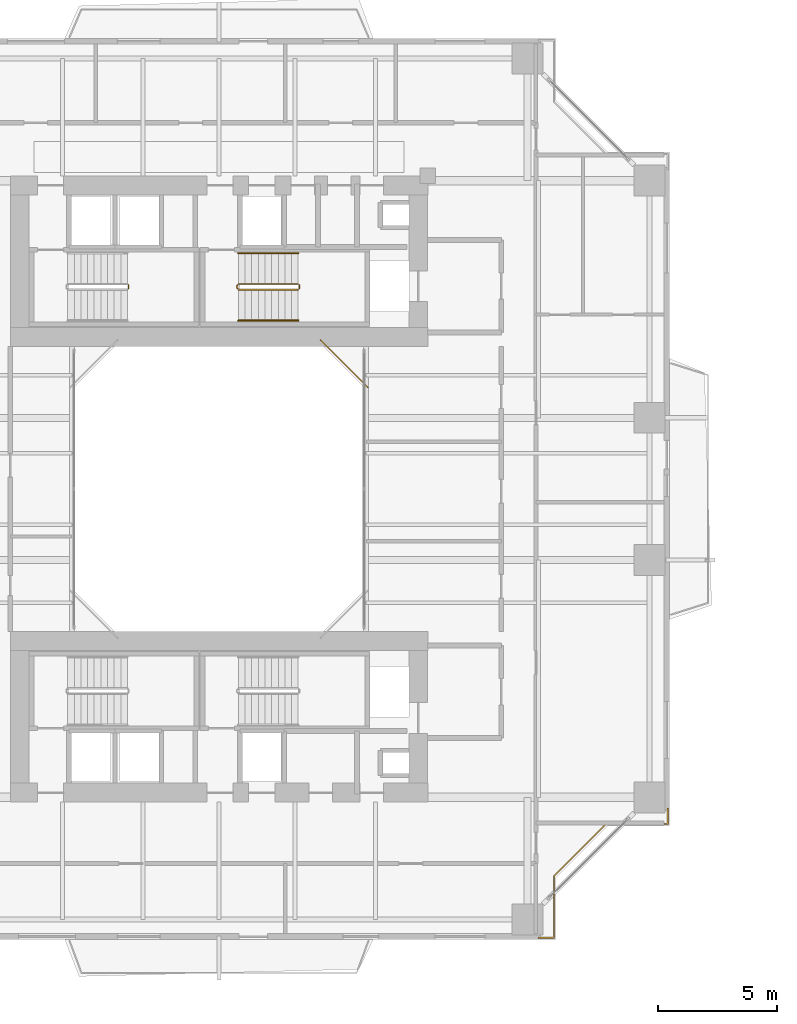
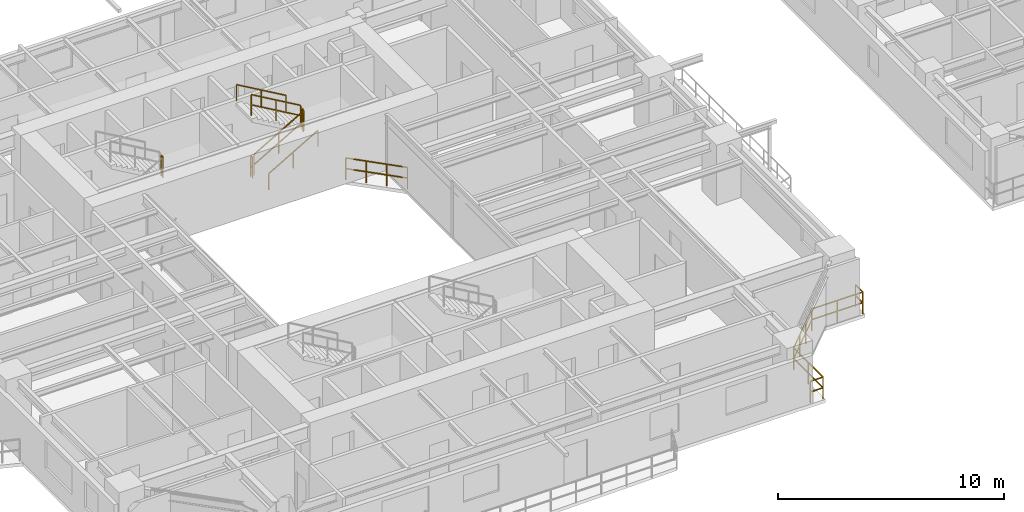
# One storey, part 21 of 23: 9 railings.
"""IFC4 building model written with IfcOpenShell, lengths in metres."""

from ifc_helpers import new_model, si_unit, direction, frame, origin, origin_2d, place, context, subcontext, project, spatial, rectangle, extrude, material, type_object, element, save


model = new_model("IFC4")

# Units and contexts
model_context = context("Model", 3, precision=1e-05, world=origin(), true_north=direction((0.0, 1.0)))
body_context = subcontext(model_context, "Body", "Model", "MODEL_VIEW")
ifc_project = project(units=[si_unit("LENGTHUNIT", "METRE"), si_unit("AREAUNIT", "SQUARE_METRE"), si_unit("VOLUMEUNIT", "CUBIC_METRE"), si_unit("PLANEANGLEUNIT", "RADIAN"), si_unit("MASSUNIT", "GRAM", prefix="KILO"), si_unit("THERMODYNAMICTEMPERATUREUNIT", "KELVIN"), si_unit("POWERUNIT", "WATT")], contexts=[model_context])

# Site, building, storey
site_placement = place(None, origin())
site = spatial("IfcSite", under=ifc_project, at=site_placement, CompositionType="ELEMENT")
building_placement = place(site_placement, origin())
building = spatial("IfcBuilding", under=site, at=building_placement, Name="Qiaomeng Ring Towers", CompositionType="ELEMENT")
storey_placement = place(building_placement, frame((0.0, 0.0, 60.0)))
storey = spatial("IfcBuildingStorey", under=building, at=storey_placement, Name="L16", CompositionType="ELEMENT", Elevation=60.0)

# Railings
ifc_material_1 = material(Name="Low-E pale-green laminated safety glass", Category="glass")
railing_type_1 = type_object("IfcRailingType", Name="ARC-RL-BAL1", PredefinedType="BALUSTRADE", material=ifc_material_1)
railing_1_placement = place(storey_placement, frame((25.280029296875, 27.280029296875, 0.0)))
element("IfcRailing", 1, at=railing_1_placement, inside=storey, type_object=railing_type_1, Name="L16 Balustrade ARC-BAL-WELL1-L16-2", PredefinedType="BALUSTRADE", context=body_context, shape_type="SweptSolid", body=[
    extrude(rectangle(XDim=0.048095703125, YDim=0.048095703125, at=origin_2d()), frame((0.0, 0.0, 1.17578125), z_axis=(-0.707106781187, 0.707106781187, 0.0), x_axis=(-0.707106781187, -0.707106781187, 0.0)), (0.0, 0.0, 1.0), 2.828369140625),
    extrude(rectangle(XDim=0.048095703125, YDim=0.048095703125, at=origin_2d()), frame((0.0, 0.0, 0.60009765625), z_axis=(-0.707106781187, 0.707106781187, 0.0), x_axis=(-0.707106781187, -0.707106781187, 0.0)), (0.0, 0.0, 1.0), 2.828369140625),
    extrude(rectangle(XDim=0.0419921875, YDim=0.0419921875, at=origin_2d()), origin(), (0.0, 0.0, 1.0), 1.15185546875),
    extrude(rectangle(XDim=0.0419921875, YDim=0.0419921875, at=origin_2d()), frame((-0.666748046875, 0.666748046875, 0.0)), (0.0, 0.0, 1.0), 1.15185546875),
    extrude(rectangle(XDim=0.0419921875, YDim=0.0419921875, at=origin_2d()), frame((-1.333251953125, 1.333251953125, 0.0)), (0.0, 0.0, 1.0), 1.15185546875),
    extrude(rectangle(XDim=0.0419921875, YDim=0.0419921875, at=origin_2d()), frame((-2.0, 2.0, 0.0)), (0.0, 0.0, 1.0), 1.15185546875),
])
railing_2_placement = place(storey_placement, frame((32.469970703125, 4.080078125, 0.0)))
element("IfcRailing", 2, at=railing_2_placement, inside=storey, type_object=railing_type_1, Name="L16 Balustrade ARC-BAL-NOTCH1-L16-SE", PredefinedType="BALUSTRADE", context=body_context, shape_type="SweptSolid", body=[
    extrude(rectangle(XDim=0.048095703125, YDim=0.048095703125, at=origin_2d()), frame((0.0, 0.0, 1.17578125), z_axis=(1.0, 0.0, 0.0), x_axis=(0.0, 1.0, 0.0)), (0.0, 0.0, 1.0), 0.650146484375),
    extrude(rectangle(XDim=0.048095703125, YDim=0.048095703125, at=origin_2d()), frame((0.0, 0.0, 0.60009765625), z_axis=(1.0, 0.0, 0.0), x_axis=(0.0, 1.0, 0.0)), (0.0, 0.0, 1.0), 0.650146484375),
    extrude(rectangle(XDim=0.048095703125, YDim=0.048095703125, at=origin_2d()), frame((0.650146484375, 0.0, 1.17578125), z_axis=(0.0, 1.0, 0.0), x_axis=(-1.0, 0.0, 0.0)), (0.0, 0.0, 1.0), 2.599853515625),
    extrude(rectangle(XDim=0.048095703125, YDim=0.048095703125, at=origin_2d()), frame((0.650146484375, 0.0, 0.60009765625), z_axis=(0.0, 1.0, 0.0), x_axis=(-1.0, 0.0, 0.0)), (0.0, 0.0, 1.0), 2.599853515625),
    extrude(rectangle(XDim=0.048095703125, YDim=0.048095703125, at=origin_2d()), frame((0.650146484375, 2.599853515625, 1.17578125), z_axis=(0.707106781187, 0.707106781187, 0.0), x_axis=(-0.707106781187, 0.707106781187, 0.0)), (0.0, 0.0, 1.0), 3.111083984375),
    extrude(rectangle(XDim=0.048095703125, YDim=0.048095703125, at=origin_2d()), frame((0.650146484375, 2.599853515625, 0.60009765625), z_axis=(0.707106781187, 0.707106781187, 0.0), x_axis=(-0.707106781187, 0.707106781187, 0.0)), (0.0, 0.0, 1.0), 3.111083984375),
    extrude(rectangle(XDim=0.048095703125, YDim=0.048095703125, at=origin_2d()), frame((2.85009765625, 4.7998046875, 1.17578125), z_axis=(1.0, 0.0, 0.0), x_axis=(0.0, 1.0, 0.0)), (0.0, 0.0, 1.0), 2.599853515625),
    extrude(rectangle(XDim=0.048095703125, YDim=0.048095703125, at=origin_2d()), frame((2.85009765625, 4.7998046875, 0.60009765625), z_axis=(1.0, 0.0, 0.0), x_axis=(0.0, 1.0, 0.0)), (0.0, 0.0, 1.0), 2.599853515625),
    extrude(rectangle(XDim=0.048095703125, YDim=0.048095703125, at=origin_2d()), frame((5.449951171875, 4.7998046875, 1.17578125), z_axis=(0.0, 1.0, 0.0), x_axis=(-1.0, 0.0, 0.0)), (0.0, 0.0, 1.0), 0.650146484375),
    extrude(rectangle(XDim=0.048095703125, YDim=0.048095703125, at=origin_2d()), frame((5.449951171875, 4.7998046875, 0.60009765625), z_axis=(0.0, 1.0, 0.0), x_axis=(-1.0, 0.0, 0.0)), (0.0, 0.0, 1.0), 0.650146484375),
    extrude(rectangle(XDim=0.0419921875, YDim=0.0419921875, at=origin_2d()), origin(), (0.0, 0.0, 1.0), 1.15185546875),
    extrude(rectangle(XDim=0.0419921875, YDim=0.0419921875, at=origin_2d()), frame((0.650146484375, 0.0, 0.0)), (0.0, 0.0, 1.0), 1.15185546875),
    extrude(rectangle(XDim=0.0419921875, YDim=0.0419921875, at=origin_2d()), frame((0.650146484375, 1.2998046875, 0.0)), (0.0, 0.0, 1.0), 1.15185546875),
    extrude(rectangle(XDim=0.0419921875, YDim=0.0419921875, at=origin_2d()), frame((0.650146484375, 2.599853515625, 0.0)), (0.0, 0.0, 1.0), 1.15185546875),
    extrude(rectangle(XDim=0.0419921875, YDim=0.0419921875, at=origin_2d()), frame((1.383544921875, 3.333251953125, 0.0)), (0.0, 0.0, 1.0), 1.15185546875),
    extrude(rectangle(XDim=0.0419921875, YDim=0.0419921875, at=origin_2d()), frame((2.11669921875, 4.06640625, 0.0)), (0.0, 0.0, 1.0), 1.15185546875),
    extrude(rectangle(XDim=0.0419921875, YDim=0.0419921875, at=origin_2d()), frame((2.85009765625, 4.7998046875, 0.0)), (0.0, 0.0, 1.0), 1.15185546875),
    extrude(rectangle(XDim=0.0419921875, YDim=0.0419921875, at=origin_2d()), frame((4.14990234375, 4.7998046875, 0.0)), (0.0, 0.0, 1.0), 1.15185546875),
    extrude(rectangle(XDim=0.0419921875, YDim=0.0419921875, at=origin_2d()), frame((5.449951171875, 4.7998046875, 0.0)), (0.0, 0.0, 1.0), 1.15185546875),
    extrude(rectangle(XDim=0.0419921875, YDim=0.0419921875, at=origin_2d()), frame((5.449951171875, 5.449951171875, 0.0)), (0.0, 0.0, 1.0), 1.15185546875),
])
ifc_material_2 = material(Name="Galvanised steel", Category="steel")
railing_type_2 = type_object("IfcRailingType", Name="ARC-RL-GUARD", PredefinedType="GUARDRAIL", material=ifc_material_2)
railing_3_placement = place(storey_placement, frame((15.18994140625, 31.449951171875, 1.625)))
element("IfcRailing", 3, at=railing_3_placement, inside=storey, type_object=railing_type_2, Name="L16 ST1 stair guard 2", PredefinedType="GUARDRAIL", context=body_context, shape_type="SweptSolid", body=[
    extrude(rectangle(XDim=0.048095703125, YDim=0.048095703125, at=origin_2d()), frame((0.0, 0.0, 1.1259765625), z_axis=(0.0, 1.0, 0.0), x_axis=(-1.0, 0.0, 0.0)), (0.0, 0.0, 1.0), 0.14013671875),
    extrude(rectangle(XDim=0.048095703125, YDim=0.048095703125, at=origin_2d()), frame((0.0, 0.0, 0.574951171875), z_axis=(0.0, 1.0, 0.0), x_axis=(-1.0, 0.0, 0.0)), (0.0, 0.0, 1.0), 0.14013671875),
    extrude(rectangle(XDim=0.0419921875, YDim=0.0419921875, at=origin_2d()), origin(), (0.0, 0.0, 1.0), 1.101806640625),
    extrude(rectangle(XDim=0.0419921875, YDim=0.0419921875, at=origin_2d()), frame((0.0, 0.14013671875, 0.0)), (0.0, 0.0, 1.0), 1.101806640625),
])
railing_4_placement = place(storey_placement, frame((19.820068359375, 31.39990234375, 0.16259765625)))
element("IfcRailing", 4, at=railing_4_placement, inside=storey, type_object=railing_type_2, Name="L16 ST2 stair guard 1", PredefinedType="GUARDRAIL", context=body_context, shape_type="SweptSolid", body=[
    extrude(rectangle(XDim=0.048095703125, YDim=0.048095703125, at=origin_2d()), frame((0.0, 0.0, 1.1259765625), z_axis=(0.864913338283, 0.0, 0.50192122615), x_axis=(0.0, 1.0, 0.0)), (0.0, 0.0, 1.0), 2.91357421875),
    extrude(rectangle(XDim=0.048095703125, YDim=0.048095703125, at=origin_2d()), frame((0.0, 0.0, 0.574951171875), z_axis=(0.864913338283, 0.0, 0.50192122615), x_axis=(0.0, 1.0, 0.0)), (0.0, 0.0, 1.0), 2.91357421875),
    extrude(rectangle(XDim=0.0419921875, YDim=0.0419921875, at=origin_2d()), origin(), (0.0, 0.0, 1.0), 1.101806640625),
    extrude(rectangle(XDim=0.0419921875, YDim=0.0419921875, at=origin_2d()), frame((1.260009765625, 0.0, 0.731201171875)), (0.0, 0.0, 1.0), 1.101806640625),
    extrude(rectangle(XDim=0.0419921875, YDim=0.0419921875, at=origin_2d()), frame((2.52001953125, 0.0, 1.46240234375)), (0.0, 0.0, 1.0), 1.101806640625),
])
railing_5_placement = place(storey_placement, frame((22.389892578125, 31.449951171875, 1.625)))
element("IfcRailing", 5, at=railing_5_placement, inside=storey, type_object=railing_type_2, Name="L16 ST2 stair guard 2", PredefinedType="GUARDRAIL", context=body_context, shape_type="SweptSolid", body=[
    extrude(rectangle(XDim=0.048095703125, YDim=0.048095703125, at=origin_2d()), frame((0.0, 0.0, 1.1259765625), z_axis=(0.0, 1.0, 0.0), x_axis=(-1.0, 0.0, 0.0)), (0.0, 0.0, 1.0), 0.14013671875),
    extrude(rectangle(XDim=0.048095703125, YDim=0.048095703125, at=origin_2d()), frame((0.0, 0.0, 0.574951171875), z_axis=(0.0, 1.0, 0.0), x_axis=(-1.0, 0.0, 0.0)), (0.0, 0.0, 1.0), 0.14013671875),
    extrude(rectangle(XDim=0.0419921875, YDim=0.0419921875, at=origin_2d()), origin(), (0.0, 0.0, 1.0), 1.101806640625),
    extrude(rectangle(XDim=0.0419921875, YDim=0.0419921875, at=origin_2d()), frame((0.0, 0.14013671875, 0.0)), (0.0, 0.0, 1.0), 1.101806640625),
])
railing_6_placement = place(storey_placement, frame((22.340087890625, 31.639892578125, 1.78759765625)))
element("IfcRailing", 6, at=railing_6_placement, inside=storey, type_object=railing_type_2, Name="L16 ST2 stair guard 3", PredefinedType="GUARDRAIL", context=body_context, shape_type="SweptSolid", body=[
    extrude(rectangle(XDim=0.048095703125, YDim=0.048095703125, at=origin_2d()), frame((0.0, 0.0, 1.1259765625), z_axis=(-0.864913338283, 0.0, 0.50192122615), x_axis=(0.0, -1.0, 0.0)), (0.0, 0.0, 1.0), 2.91357421875),
    extrude(rectangle(XDim=0.048095703125, YDim=0.048095703125, at=origin_2d()), frame((0.0, 0.0, 0.574951171875), z_axis=(-0.864913338283, 0.0, 0.50192122615), x_axis=(0.0, -1.0, 0.0)), (0.0, 0.0, 1.0), 2.91357421875),
    extrude(rectangle(XDim=0.0419921875, YDim=0.0419921875, at=origin_2d()), origin(), (0.0, 0.0, 1.0), 1.101806640625),
    extrude(rectangle(XDim=0.0419921875, YDim=0.0419921875, at=origin_2d()), frame((-1.260009765625, 0.0, 0.731201171875)), (0.0, 0.0, 1.0), 1.101806640625),
    extrude(rectangle(XDim=0.0419921875, YDim=0.0419921875, at=origin_2d()), frame((-2.52001953125, 0.0, 1.46240234375)), (0.0, 0.0, 1.0), 1.101806640625),
])
railing_7_placement = place(storey_placement, frame((19.77001953125, 31.449951171875, 0.0)))
element("IfcRailing", 7, at=railing_7_placement, inside=storey, type_object=railing_type_2, Name="L16 ST2 stair guard 4", PredefinedType="GUARDRAIL", context=body_context, shape_type="SweptSolid", body=[
    extrude(rectangle(XDim=0.048095703125, YDim=0.048095703125, at=origin_2d()), frame((0.0, 0.0, 1.1259765625), z_axis=(0.0, 1.0, 0.0), x_axis=(-1.0, 0.0, 0.0)), (0.0, 0.0, 1.0), 0.14013671875),
    extrude(rectangle(XDim=0.048095703125, YDim=0.048095703125, at=origin_2d()), frame((0.0, 0.0, 0.574951171875), z_axis=(0.0, 1.0, 0.0), x_axis=(-1.0, 0.0, 0.0)), (0.0, 0.0, 1.0), 0.14013671875),
    extrude(rectangle(XDim=0.0419921875, YDim=0.0419921875, at=origin_2d()), origin(), (0.0, 0.0, 1.0), 1.101806640625),
    extrude(rectangle(XDim=0.0419921875, YDim=0.0419921875, at=origin_2d()), frame((0.0, 0.14013671875, 0.0)), (0.0, 0.0, 1.0), 1.101806640625),
])
ifc_material_3 = material(Name="Stainless steel 316", Category="steel")
railing_type_3 = type_object("IfcRailingType", Name="ARC-RL-HAND", PredefinedType="HANDRAIL", material=ifc_material_3)
railing_8_placement = place(storey_placement, frame((19.820068359375, 30.10009765625, 0.16259765625)))
element("IfcRailing", 8, at=railing_8_placement, inside=storey, type_object=railing_type_3, Name="L16 ST2 stair handrail 1", PredefinedType="HANDRAIL", context=body_context, shape_type="SweptSolid", body=[
    extrude(rectangle(XDim=0.048095703125, YDim=0.048095703125, at=origin_2d()), frame((0.0, 0.0, 0.8759765625), z_axis=(0.864913338283, 0.0, 0.50192122615), x_axis=(0.0, 1.0, 0.0)), (0.0, 0.0, 1.0), 2.91357421875),
    extrude(rectangle(XDim=0.0419921875, YDim=0.0419921875, at=origin_2d()), origin(), (0.0, 0.0, 1.0), 0.851806640625),
    extrude(rectangle(XDim=0.0419921875, YDim=0.0419921875, at=origin_2d()), frame((1.260009765625, 0.0, 0.731201171875)), (0.0, 0.0, 1.0), 0.851806640625),
    extrude(rectangle(XDim=0.0419921875, YDim=0.0419921875, at=origin_2d()), frame((2.52001953125, 0.0, 1.46240234375)), (0.0, 0.0, 1.0), 0.851806640625),
])
railing_9_placement = place(storey_placement, frame((22.340087890625, 32.93994140625, 1.78759765625)))
element("IfcRailing", 9, at=railing_9_placement, inside=storey, type_object=railing_type_3, Name="L16 ST2 stair handrail 2", PredefinedType="HANDRAIL", context=body_context, shape_type="SweptSolid", body=[
    extrude(rectangle(XDim=0.048095703125, YDim=0.048095703125, at=origin_2d()), frame((0.0, 0.0, 0.8759765625), z_axis=(-0.864913338283, 0.0, 0.50192122615), x_axis=(0.0, -1.0, 0.0)), (0.0, 0.0, 1.0), 2.91357421875),
    extrude(rectangle(XDim=0.0419921875, YDim=0.0419921875, at=origin_2d()), origin(), (0.0, 0.0, 1.0), 0.851806640625),
    extrude(rectangle(XDim=0.0419921875, YDim=0.0419921875, at=origin_2d()), frame((-1.260009765625, 0.0, 0.731201171875)), (0.0, 0.0, 1.0), 0.851806640625),
    extrude(rectangle(XDim=0.0419921875, YDim=0.0419921875, at=origin_2d()), frame((-2.52001953125, 0.0, 1.46240234375)), (0.0, 0.0, 1.0), 0.851806640625),
])

save(model, "model.ifc")
